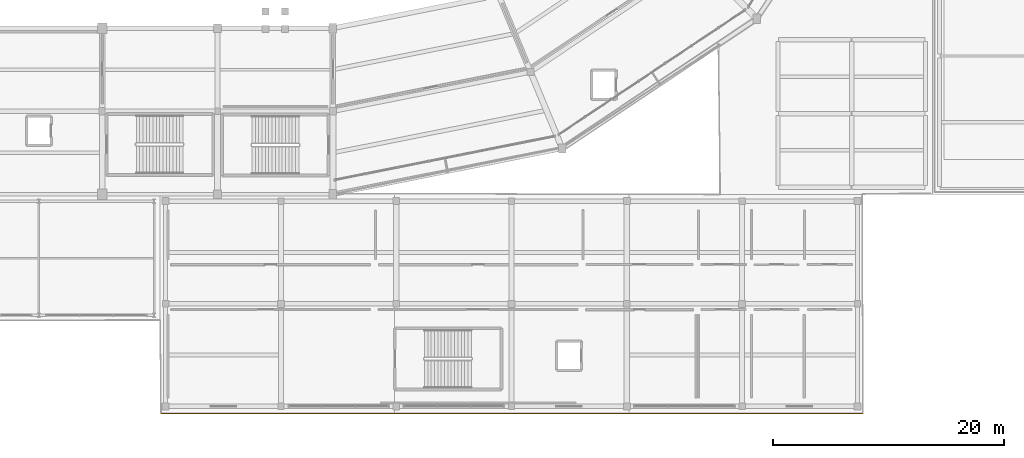
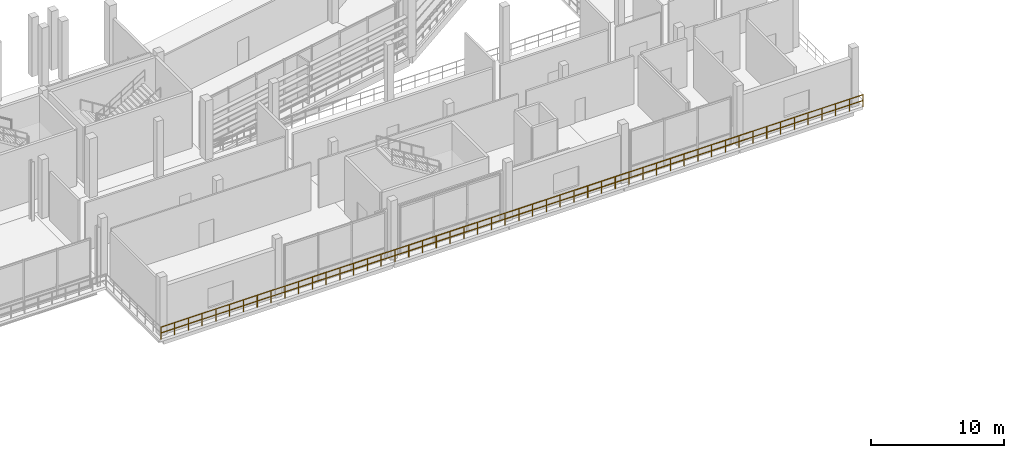
# One storey, part 99 of 111: 1 railing.
"""IFC4 building model written with IfcOpenShell, lengths in metres."""

from ifc_helpers import new_model, si_unit, direction, frame, origin, origin_2d, place, context, subcontext, project, spatial, circle, extrude, material, layer, layer_set, type_object, element, save


model = new_model("IFC4")

# Units and contexts
model_context = context("Model", 3, precision=1e-05, world=origin(), true_north=direction((0.0, 1.0)))
body_context = subcontext(model_context, "Body", "Model", "MODEL_VIEW")
ifc_project = project(units=[si_unit("LENGTHUNIT", "METRE"), si_unit("AREAUNIT", "SQUARE_METRE"), si_unit("VOLUMEUNIT", "CUBIC_METRE"), si_unit("PLANEANGLEUNIT", "RADIAN"), si_unit("MASSUNIT", "GRAM", prefix="KILO")], contexts=[model_context])

# Site, building, storey
site_placement = place(None, origin())
site = spatial("IfcSite", under=ifc_project, at=site_placement, CompositionType="ELEMENT")
building_placement = place(site_placement, origin())
building = spatial("IfcBuilding", under=site, at=building_placement, Name="Candeia Ridge Stadium", CompositionType="ELEMENT")
storey_placement = place(building_placement, frame((0.0, 0.0, 16.199951171875)))
storey = spatial("IfcBuildingStorey", under=building, at=storey_placement, Name="L03", CompositionType="ELEMENT", Elevation=16.199951171875)

# Railing
ifc_material = material(Name="Galvanized Powder-Coated Steel", Category="steel")
ifc_layer = layer(ifc_material, 0.074951171875, Name="Galvanized Powder-Coated Steel", Category="steel")
ifc_layer_set = layer_set([ifc_layer], Name="Galvanized Powder-Coated Steel")
railing_type = type_object("IfcRailingType", Name="Spectator Bowl Front Guardrail 1120", PredefinedType="GUARDRAIL", material=ifc_layer_set)
railing_placement = place(storey_placement, frame((187.0, 0.0, 0.0)))
element("IfcRailing", 1, at=railing_placement, inside=storey, type_object=railing_type, Name="Deck edge safety guardrail GR-DE-L03-0151", PredefinedType="GUARDRAIL", context=body_context, shape_type="SweptSolid", body=[
    extrude(circle(Radius=0.02392578125, at=origin_2d()), frame((0.0, 0.0, 1.09619140625), z_axis=(-1.0, 0.0, 0.0), x_axis=(0.0, -1.0, 0.0)), (0.0, 0.0, 1.0), 60.919921875),
    extrude(circle(Radius=0.02392578125, at=origin_2d()), frame((0.0, 0.0, 0.56005859375), z_axis=(-1.0, 0.0, 0.0), x_axis=(0.0, -1.0, 0.0)), (0.0, 0.0, 1.0), 60.919921875),
    extrude(circle(Radius=0.02099609375, at=origin_2d()), origin(), (0.0, 0.0, 1.0), 1.072021484375),
    extrude(circle(Radius=0.02099609375, at=origin_2d()), frame((-1.194580078125, 0.0, 0.0)), (0.0, 0.0, 1.0), 1.072021484375),
    extrude(circle(Radius=0.02099609375, at=origin_2d()), frame((-2.388916015625, 0.0, 0.0)), (0.0, 0.0, 1.0), 1.072021484375),
    extrude(circle(Radius=0.02099609375, at=origin_2d()), frame((-3.58349609375, 0.0, 0.0)), (0.0, 0.0, 1.0), 1.072021484375),
    extrude(circle(Radius=0.02099609375, at=origin_2d()), frame((-4.778076171875, 0.0, 0.0)), (0.0, 0.0, 1.0), 1.072021484375),
    extrude(circle(Radius=0.02099609375, at=origin_2d()), frame((-5.97265625, 0.0, 0.0)), (0.0, 0.0, 1.0), 1.072021484375),
    extrude(circle(Radius=0.02099609375, at=origin_2d()), frame((-7.1669921875, 0.0, 0.0)), (0.0, 0.0, 1.0), 1.072021484375),
    extrude(circle(Radius=0.02099609375, at=origin_2d()), frame((-8.361572265625, 0.0, 0.0)), (0.0, 0.0, 1.0), 1.072021484375),
    extrude(circle(Radius=0.02099609375, at=origin_2d()), frame((-9.55615234375, 0.0, 0.0)), (0.0, 0.0, 1.0), 1.072021484375),
    extrude(circle(Radius=0.02099609375, at=origin_2d()), frame((-10.75048828125, 0.0, 0.0)), (0.0, 0.0, 1.0), 1.072021484375),
    extrude(circle(Radius=0.02099609375, at=origin_2d()), frame((-11.945068359375, 0.0, 0.0)), (0.0, 0.0, 1.0), 1.072021484375),
    extrude(circle(Radius=0.02099609375, at=origin_2d()), frame((-13.1396484375, 0.0, 0.0)), (0.0, 0.0, 1.0), 1.072021484375),
    extrude(circle(Radius=0.02099609375, at=origin_2d()), frame((-14.333984375, 0.0, 0.0)), (0.0, 0.0, 1.0), 1.072021484375),
    extrude(circle(Radius=0.02099609375, at=origin_2d()), frame((-15.528564453125, 0.0, 0.0)), (0.0, 0.0, 1.0), 1.072021484375),
    extrude(circle(Radius=0.02099609375, at=origin_2d()), frame((-16.72314453125, 0.0, 0.0)), (0.0, 0.0, 1.0), 1.072021484375),
    extrude(circle(Radius=0.02099609375, at=origin_2d()), frame((-17.917724609375, 0.0, 0.0)), (0.0, 0.0, 1.0), 1.072021484375),
    extrude(circle(Radius=0.02099609375, at=origin_2d()), frame((-19.112060546875, 0.0, 0.0)), (0.0, 0.0, 1.0), 1.072021484375),
    extrude(circle(Radius=0.02099609375, at=origin_2d()), frame((-20.306640625, 0.0, 0.0)), (0.0, 0.0, 1.0), 1.072021484375),
    extrude(circle(Radius=0.02099609375, at=origin_2d()), frame((-21.501220703125, 0.0, 0.0)), (0.0, 0.0, 1.0), 1.072021484375),
    extrude(circle(Radius=0.02099609375, at=origin_2d()), frame((-22.695556640625, 0.0, 0.0)), (0.0, 0.0, 1.0), 1.072021484375),
    extrude(circle(Radius=0.02099609375, at=origin_2d()), frame((-23.89013671875, 0.0, 0.0)), (0.0, 0.0, 1.0), 1.072021484375),
    extrude(circle(Radius=0.02099609375, at=origin_2d()), frame((-25.084716796875, 0.0, 0.0)), (0.0, 0.0, 1.0), 1.072021484375),
    extrude(circle(Radius=0.02099609375, at=origin_2d()), frame((-26.279296875, 0.0, 0.0)), (0.0, 0.0, 1.0), 1.072021484375),
    extrude(circle(Radius=0.02099609375, at=origin_2d()), frame((-27.4736328125, 0.0, 0.0)), (0.0, 0.0, 1.0), 1.072021484375),
    extrude(circle(Radius=0.02099609375, at=origin_2d()), frame((-28.668212890625, 0.0, 0.0)), (0.0, 0.0, 1.0), 1.072021484375),
    extrude(circle(Radius=0.02099609375, at=origin_2d()), frame((-29.86279296875, 0.0, 0.0)), (0.0, 0.0, 1.0), 1.072021484375),
    extrude(circle(Radius=0.02099609375, at=origin_2d()), frame((-31.05712890625, 0.0, 0.0)), (0.0, 0.0, 1.0), 1.072021484375),
    extrude(circle(Radius=0.02099609375, at=origin_2d()), frame((-32.251708984375, 0.0, 0.0)), (0.0, 0.0, 1.0), 1.072021484375),
    extrude(circle(Radius=0.02099609375, at=origin_2d()), frame((-33.4462890625, 0.0, 0.0)), (0.0, 0.0, 1.0), 1.072021484375),
    extrude(circle(Radius=0.02099609375, at=origin_2d()), frame((-34.640625, 0.0, 0.0)), (0.0, 0.0, 1.0), 1.072021484375),
    extrude(circle(Radius=0.02099609375, at=origin_2d()), frame((-35.835205078125, 0.0, 0.0)), (0.0, 0.0, 1.0), 1.072021484375),
    extrude(circle(Radius=0.02099609375, at=origin_2d()), frame((-37.02978515625, 0.0, 0.0)), (0.0, 0.0, 1.0), 1.072021484375),
    extrude(circle(Radius=0.02099609375, at=origin_2d()), frame((-38.224365234375, 0.0, 0.0)), (0.0, 0.0, 1.0), 1.072021484375),
    extrude(circle(Radius=0.02099609375, at=origin_2d()), frame((-39.418701171875, 0.0, 0.0)), (0.0, 0.0, 1.0), 1.072021484375),
    extrude(circle(Radius=0.02099609375, at=origin_2d()), frame((-40.61328125, 0.0, 0.0)), (0.0, 0.0, 1.0), 1.072021484375),
    extrude(circle(Radius=0.02099609375, at=origin_2d()), frame((-41.807861328125, 0.0, 0.0)), (0.0, 0.0, 1.0), 1.072021484375),
    extrude(circle(Radius=0.02099609375, at=origin_2d()), frame((-43.002197265625, 0.0, 0.0)), (0.0, 0.0, 1.0), 1.072021484375),
    extrude(circle(Radius=0.02099609375, at=origin_2d()), frame((-44.19677734375, 0.0, 0.0)), (0.0, 0.0, 1.0), 1.072021484375),
    extrude(circle(Radius=0.02099609375, at=origin_2d()), frame((-45.391357421875, 0.0, 0.0)), (0.0, 0.0, 1.0), 1.072021484375),
    extrude(circle(Radius=0.02099609375, at=origin_2d()), frame((-46.5859375, 0.0, 0.0)), (0.0, 0.0, 1.0), 1.072021484375),
    extrude(circle(Radius=0.02099609375, at=origin_2d()), frame((-47.7802734375, 0.0, 0.0)), (0.0, 0.0, 1.0), 1.072021484375),
    extrude(circle(Radius=0.02099609375, at=origin_2d()), frame((-48.974853515625, 0.0, 0.0)), (0.0, 0.0, 1.0), 1.072021484375),
    extrude(circle(Radius=0.02099609375, at=origin_2d()), frame((-50.16943359375, 0.0, 0.0)), (0.0, 0.0, 1.0), 1.072021484375),
    extrude(circle(Radius=0.02099609375, at=origin_2d()), frame((-51.36376953125, 0.0, 0.0)), (0.0, 0.0, 1.0), 1.072021484375),
    extrude(circle(Radius=0.02099609375, at=origin_2d()), frame((-52.558349609375, 0.0, 0.0)), (0.0, 0.0, 1.0), 1.072021484375),
    extrude(circle(Radius=0.02099609375, at=origin_2d()), frame((-53.7529296875, 0.0, 0.0)), (0.0, 0.0, 1.0), 1.072021484375),
    extrude(circle(Radius=0.02099609375, at=origin_2d()), frame((-54.947265625, 0.0, 0.0)), (0.0, 0.0, 1.0), 1.072021484375),
    extrude(circle(Radius=0.02099609375, at=origin_2d()), frame((-56.141845703125, 0.0, 0.0)), (0.0, 0.0, 1.0), 1.072021484375),
    extrude(circle(Radius=0.02099609375, at=origin_2d()), frame((-57.33642578125, 0.0, 0.0)), (0.0, 0.0, 1.0), 1.072021484375),
    extrude(circle(Radius=0.02099609375, at=origin_2d()), frame((-58.531005859375, 0.0, 0.0)), (0.0, 0.0, 1.0), 1.072021484375),
    extrude(circle(Radius=0.02099609375, at=origin_2d()), frame((-59.725341796875, 0.0, 0.0)), (0.0, 0.0, 1.0), 1.072021484375),
    extrude(circle(Radius=0.02099609375, at=origin_2d()), frame((-60.919921875, 0.0, 0.0)), (0.0, 0.0, 1.0), 1.072021484375),
])

save(model, "model.ifc")
